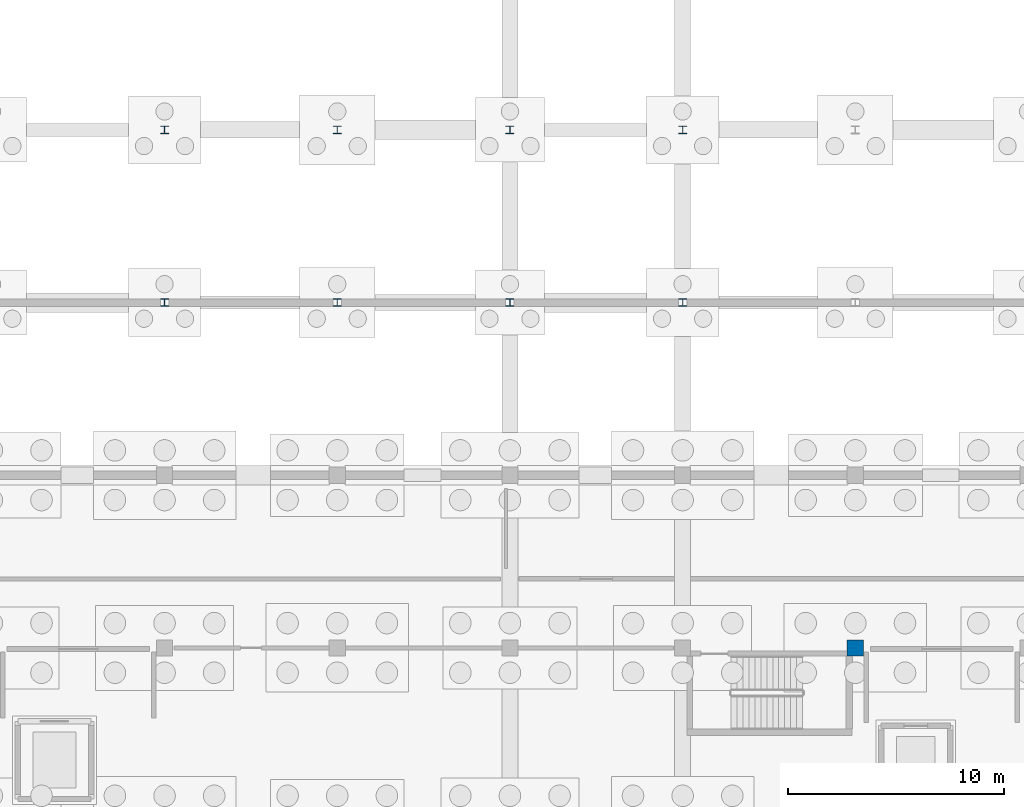
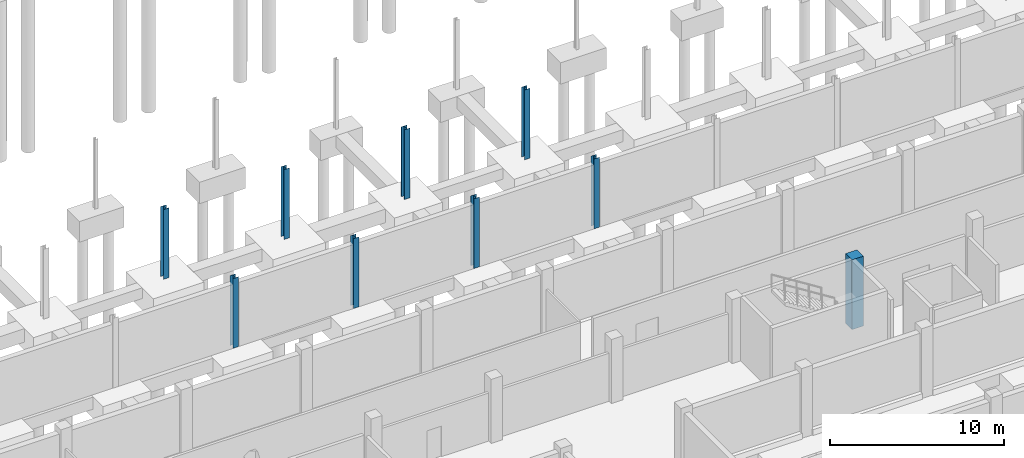
# One storey, part 29 of 51: 9 columns.
"""IFC4 building model written with IfcOpenShell, lengths in metres."""

from ifc_helpers import new_model, si_unit, direction, frame, origin, origin_2d, place, context, subcontext, project, spatial, rectangle, i_section, extrude, material, material_profile, profile_set, type_object, element, save


model = new_model("IFC4")

# Units and contexts
model_context = context("Model", 3, precision=1e-05, world=origin(), true_north=direction((0.0, 1.0)))
body_context = subcontext(model_context, "Body", "Model", "MODEL_VIEW")
ifc_project = project(units=[si_unit("LENGTHUNIT", "METRE"), si_unit("AREAUNIT", "SQUARE_METRE"), si_unit("VOLUMEUNIT", "CUBIC_METRE"), si_unit("PLANEANGLEUNIT", "RADIAN"), si_unit("MASSUNIT", "GRAM", prefix="KILO")], contexts=[model_context])

# Site, building, storey
site_placement = place(None, origin())
site = spatial("IfcSite", under=ifc_project, at=site_placement, CompositionType="ELEMENT")
building_placement = place(site_placement, origin())
building = spatial("IfcBuilding", under=site, at=building_placement, Name="Jelvoka-Kovrelna Polytechnic", CompositionType="ELEMENT")
storey_placement = place(building_placement, frame((0.0, 0.0, -4.5)))
storey = spatial("IfcBuildingStorey", under=building, at=storey_placement, Name="B01", CompositionType="ELEMENT", Elevation=-4.5)

# Columns
ifc_material_1 = material(Name="Concrete C40/50", Category="concrete")
ifc_material_profile_1 = material_profile(ifc_material_1, rectangle(XDim=0.75, YDim=0.75, at=origin_2d()), Name="RC 750x750")
ifc_profile_set_1 = profile_set([ifc_material_profile_1], Name="Concrete C40/50")
column_type_1 = type_object("IfcColumnType", Name="Col_RC_750", PredefinedType="COLUMN", material=ifc_profile_set_1)
column_placement = place(storey_placement, frame((168.0, 64.0, -0.405029296875), z_axis=(0.0, 0.0, 1.0), x_axis=(1.0, 0.0, 0.0)))
element("IfcColumn", 1, at=column_placement, inside=storey, type_object=column_type_1, Name="B01 column 1267", PredefinedType="COLUMN", context=body_context, shape_type="SweptSolid", body=[
    extrude(rectangle(XDim=0.75, YDim=0.75, at=origin_2d()), origin(), (0.0, 0.0, 1.0), 4.905029296875),
])
ifc_material_2 = material(Name="Structural steel S355JR", Category="steel")
ifc_material_profile_2 = material_profile(ifc_material_2, i_section(OverallWidth=0.36865234375, OverallDepth=0.355712890625, WebThickness=0.010498046875, FlangeThickness=0.017578125, FilletRadius=0.01513671875, at=origin_2d()), Name="356x368x129 UC")
ifc_profile_set_2 = profile_set([ifc_material_profile_2], Name="Structural steel S355JR")
column_type_2 = type_object("IfcColumnType", Name="Col_Steel_UC356", PredefinedType="COLUMN", material=ifc_profile_set_2)
for number, where, z_axis, x_axis, name in (
    (2, (136.0, 80.0, -0.405029296875), (0.0, 0.0, 1.0), (1.0, 0.0, 0.0), "B01 column 1494"),
    (3, (144.0, 80.0, -0.405029296875), (0.0, 0.0, 1.0), (1.0, 0.0, 0.0), "B01 column 1497"),
    (4, (152.0, 80.0, -0.405029296875), (0.0, 0.0, 1.0), (1.0, 0.0, 0.0), "B01 column 1500"),
    (5, (160.0, 80.0, -0.405029296875), (0.0, 0.0, 1.0), (1.0, 0.0, 0.0), "B01 column 1503"),
    (6, (136.0, 88.0, -0.405029296875), (0.0, 0.0, 1.0), (1.0, 0.0, 0.0), "B01 column 1549"),
    (7, (144.0, 88.0, -0.405029296875), (0.0, 0.0, 1.0), (1.0, 0.0, 0.0), "B01 column 1552"),
    (8, (152.0, 88.0, -0.405029296875), (0.0, 0.0, 1.0), (1.0, 0.0, 0.0), "B01 column 1555"),
    (9, (160.0, 88.0, -0.405029296875), (0.0, 0.0, 1.0), (1.0, 0.0, 0.0), "B01 column 1558"),
):
    element("IfcColumn", number, at=place(storey_placement, frame(where, z_axis=z_axis, x_axis=x_axis)), inside=storey, type_object=column_type_2, Name=name, PredefinedType="COLUMN", context=body_context, shape_type="SweptSolid", body=[
        extrude(i_section(OverallWidth=0.36865234375, OverallDepth=0.355712890625, WebThickness=0.010498046875, FlangeThickness=0.017578125, FilletRadius=0.01513671875, at=origin_2d()), origin(), (0.0, 0.0, 1.0), 4.905029296875),
    ])

save(model, "model.ifc")
